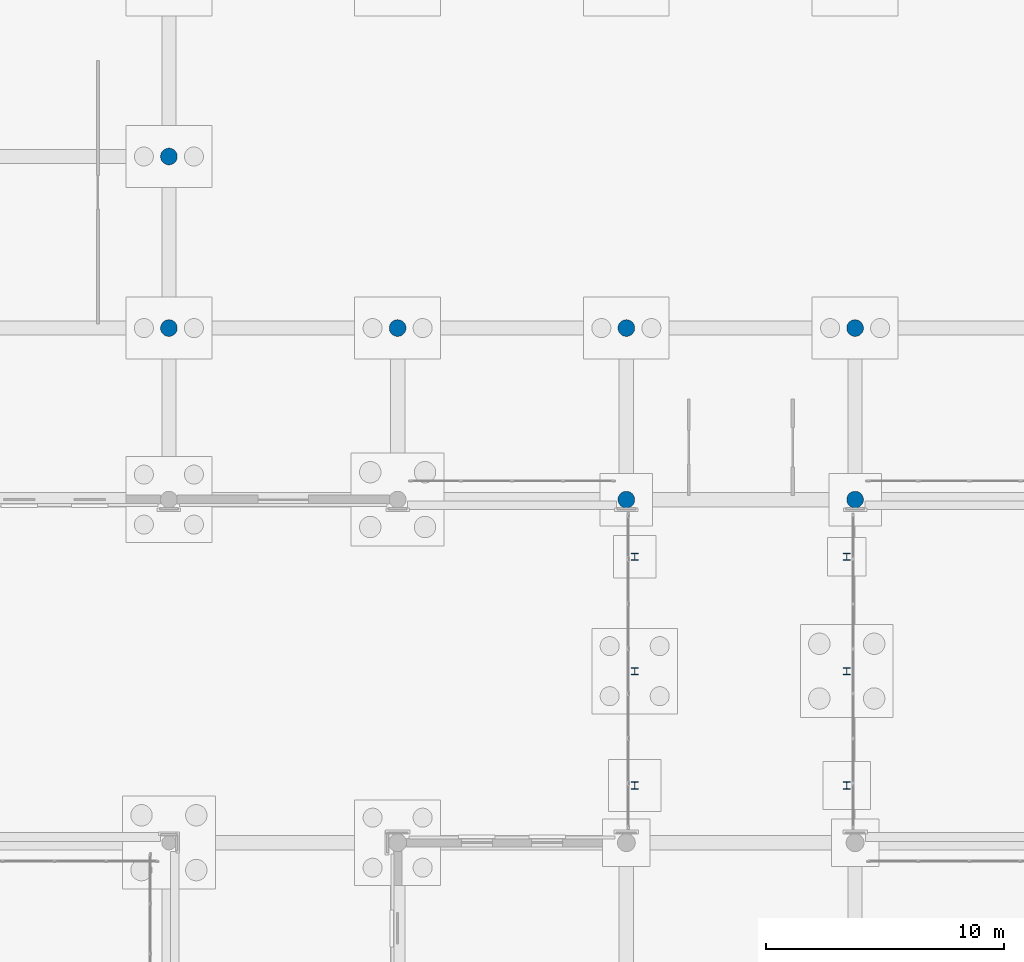
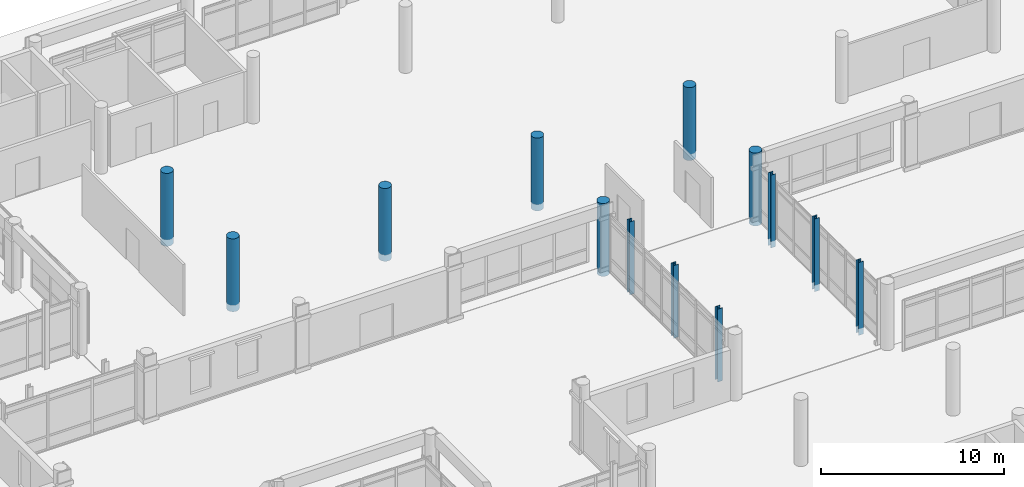
# One storey, part 19 of 196: 13 columns.
"""IFC4 building model written with IfcOpenShell, lengths in metres."""

from ifc_helpers import new_model, si_unit, direction, frame, origin, origin_2d, place, context, subcontext, project, spatial, circle, i_section, extrude, material, material_profile, profile_set, type_object, element, save


model = new_model("IFC4")

# Units and contexts
model_context = context("Model", 3, precision=1e-05, world=origin(), true_north=direction((0.0, 1.0)))
body_context = subcontext(model_context, "Body", "Model", "MODEL_VIEW")
ifc_project = project(units=[si_unit("LENGTHUNIT", "METRE"), si_unit("AREAUNIT", "SQUARE_METRE"), si_unit("VOLUMEUNIT", "CUBIC_METRE"), si_unit("PLANEANGLEUNIT", "RADIAN"), si_unit("MASSUNIT", "GRAM", prefix="KILO")], contexts=[model_context])

# Site, building, storey
site_placement = place(None, origin())
site = spatial("IfcSite", under=ifc_project, at=site_placement, CompositionType="ELEMENT")
building_placement = place(site_placement, origin())
building = spatial("IfcBuilding", under=site, at=building_placement, Name="Asteropetra Specialist Clinic", CompositionType="ELEMENT")
storey_placement = place(building_placement, origin())
storey = spatial("IfcBuildingStorey", under=building, at=storey_placement, Name="L00", CompositionType="ELEMENT", Elevation=0.0)

# Columns
ifc_material_1 = material(Name="Concrete C35/45", Category="concrete")
ifc_material_profile_1 = material_profile(ifc_material_1, circle(Radius=0.35009765625, at=origin_2d()), Name="RCC D700")
ifc_profile_set_1 = profile_set([ifc_material_profile_1], Name="Concrete C35/45")
column_type_1 = type_object("IfcColumnType", Name="COL-DORIC700", PredefinedType="COLUMN", material=ifc_profile_set_1)
for number, where, z_axis, x_axis, name in (
    (1, (96.0, 84.0, -0.43994140625), (0.0, 0.0, 1.0), (1.0, 0.0, 0.0), "Column CCOL13-0625"),
    (2, (96.0, 91.199951171875, -0.43994140625), (0.0, 0.0, 1.0), (1.0, 0.0, 0.0), "Column CCOL13-0626"),
    (3, (105.60009765625, 84.0, -0.43994140625), (0.0, 0.0, 1.0), (1.0, 0.0, 0.0), "Column CCOL13-0680"),
    (4, (115.199951171875, 76.800048828125, -0.43994140625), (0.0, 0.0, 1.0), (1.0, 0.0, 0.0), "Column CCOL13-0728"),
    (5, (115.199951171875, 84.0, -0.43994140625), (0.0, 0.0, 1.0), (1.0, 0.0, 0.0), "Column CCOL13-0730"),
    (6, (124.800048828125, 76.800048828125, -0.43994140625), (0.0, 0.0, 1.0), (1.0, 0.0, 0.0), "Column CCOL13-0790"),
    (7, (124.800048828125, 84.0, -0.43994140625), (0.0, 0.0, 1.0), (1.0, 0.0, 0.0), "Column CCOL13-0792"),
):
    element("IfcColumn", number, at=place(storey_placement, frame(where, z_axis=z_axis, x_axis=x_axis)), inside=storey, type_object=column_type_1, Name=name, PredefinedType="COLUMN", context=body_context, shape_type="SweptSolid", body=[
        extrude(circle(Radius=0.35009765625, at=origin_2d()), origin(), (0.0, 0.0, 1.0), 4.85986328125),
    ])
ifc_material_2 = material(Name="Steel S355", Category="steel")
ifc_material_profile_2 = material_profile(ifc_material_2, i_section(OverallWidth=0.300048828125, OverallDepth=0.300048828125, WebThickness=0.010986328125, FlangeThickness=0.01904296875, FilletRadius=0.027099609375, at=origin_2d()), Name="HEB 300")
ifc_profile_set_2 = profile_set([ifc_material_profile_2], Name="Steel S355")
column_type_2 = type_object("IfcColumnType", Name="COL-STL-HEB300", PredefinedType="COLUMN", material=ifc_profile_set_2)
for number, where, z_axis, x_axis, name in (
    (8, (115.550048828125, 64.800048828125, -0.43994140625), (0.0, 0.0, 1.0), (1.0, 0.0, 0.0), "Column CCOLS1-0734"),
    (9, (115.550048828125, 69.60009765625, -0.43994140625), (0.0, 0.0, 1.0), (1.0, 0.0, 0.0), "Column CCOLS1-0736"),
    (10, (115.550048828125, 74.39990234375, -0.43994140625), (0.0, 0.0, 1.0), (1.0, 0.0, 0.0), "Column CCOLS1-0738"),
    (11, (124.449951171875, 64.800048828125, -0.43994140625), (0.0, 0.0, 1.0), (1.0, 0.0, 0.0), "Column CCOLS1-0740"),
    (12, (124.449951171875, 69.60009765625, -0.43994140625), (0.0, 0.0, 1.0), (1.0, 0.0, 0.0), "Column CCOLS1-0742"),
    (13, (124.449951171875, 74.39990234375, -0.43994140625), (0.0, 0.0, 1.0), (1.0, 0.0, 0.0), "Column CCOLS1-0744"),
):
    element("IfcColumn", number, at=place(storey_placement, frame(where, z_axis=z_axis, x_axis=x_axis)), inside=storey, type_object=column_type_2, Name=name, PredefinedType="COLUMN", context=body_context, shape_type="SweptSolid", body=[
        extrude(i_section(OverallWidth=0.300048828125, OverallDepth=0.300048828125, WebThickness=0.010986328125, FlangeThickness=0.01904296875, FilletRadius=0.027099609375, at=origin_2d()), origin(), (0.0, 0.0, 1.0), 4.85986328125),
    ])

save(model, "model.ifc")
